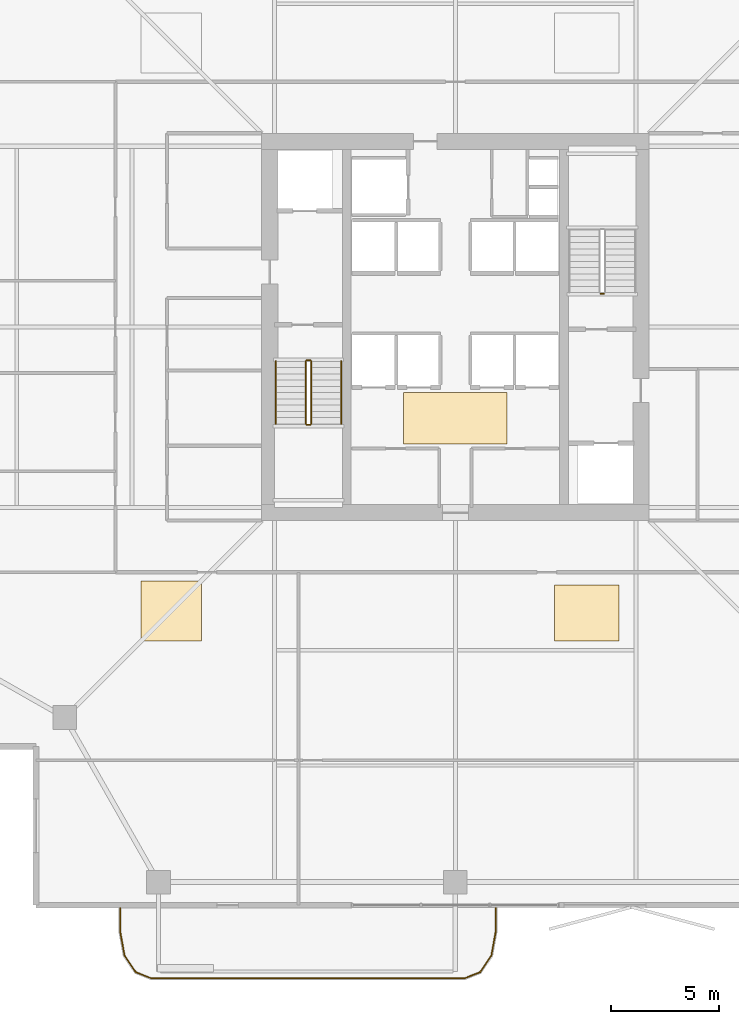
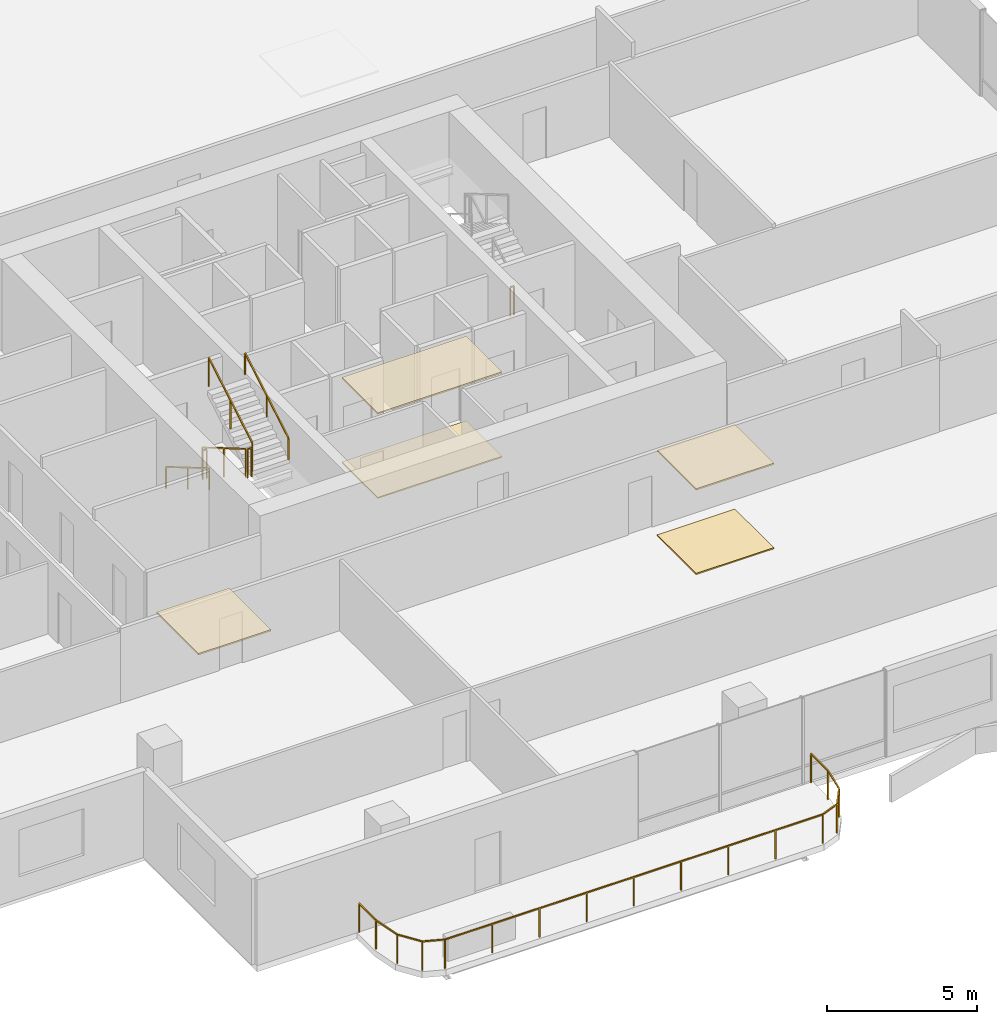
# One storey, part 21 of 23: 8 railings, 5 coverings.
"""IFC4 building model written with IfcOpenShell, lengths in metres."""

from ifc_helpers import new_model, si_unit, direction, frame, origin, origin_2d, place, context, subcontext, project, spatial, polyline, rectangle, outline, extrude, material, layer, layer_set, type_object, element, save


model = new_model("IFC4")

# Units and contexts
model_context = context("Model", 3, precision=1e-05, world=origin(), true_north=direction((0.0, 1.0)))
body_context = subcontext(model_context, "Body", "Model", "MODEL_VIEW")
ifc_project = project(units=[si_unit("LENGTHUNIT", "METRE"), si_unit("AREAUNIT", "SQUARE_METRE"), si_unit("VOLUMEUNIT", "CUBIC_METRE"), si_unit("PLANEANGLEUNIT", "RADIAN"), si_unit("MASSUNIT", "GRAM", prefix="KILO")], contexts=[model_context])

# Site, building, storey
site_placement = place(None, origin())
site = spatial("IfcSite", under=ifc_project, at=site_placement, CompositionType="ELEMENT")
building_placement = place(site_placement, origin())
building = spatial("IfcBuilding", under=site, at=building_placement, Name="Belovzor Exchange Tower", CompositionType="ELEMENT")
storey_placement = place(building_placement, frame((0.0, 0.0, 229.949951171875)))
storey = spatial("IfcBuildingStorey", under=building, at=storey_placement, Name="L57", CompositionType="ELEMENT", Elevation=229.949951171875)

# Railings
ifc_material_1 = material(Name="Stainless Steel Grade 304", Category="steel")
railing_type_1 = type_object("IfcRailingType", Name="Brushed Stainless Steel Stair Handrail 900", PredefinedType="HANDRAIL", material=ifc_material_1)
railing_1_placement = place(storey_placement, frame((20.449951171875, 27.199951171875, 0.17041015625)))
element("IfcRailing", 1, at=railing_1_placement, inside=storey, type_object=railing_type_1, Name="L57 ST-1 stair handrail 1", PredefinedType="HANDRAIL", context=body_context, shape_type="SweptSolid", body=[
    extrude(rectangle(XDim=0.048095703125, YDim=0.048095703125, at=origin_2d()), frame((0.0, 0.0, 0.8759765625), z_axis=(0.0, -0.86209462966, 0.506747323142), x_axis=(1.0, 0.0, 0.0)), (0.0, 0.0, 1.0), 3.36376953125),
    extrude(rectangle(XDim=0.0419921875, YDim=0.0419921875, at=origin_2d()), origin(), (0.0, 0.0, 1.0), 0.851806640625),
    extrude(rectangle(XDim=0.0419921875, YDim=0.0419921875, at=origin_2d()), frame((0.0, -1.449951171875, 0.852294921875)), (0.0, 0.0, 1.0), 0.851806640625),
    extrude(rectangle(XDim=0.0419921875, YDim=0.0419921875, at=origin_2d()), frame((0.0, -2.89990234375, 1.70458984375)), (0.0, 0.0, 1.0), 0.851806640625),
])
railing_2_placement = place(storey_placement, frame((23.5, 24.300048828125, 2.04541015625)))
element("IfcRailing", 2, at=railing_2_placement, inside=storey, type_object=railing_type_1, Name="L57 ST-1 stair handrail 2", PredefinedType="HANDRAIL", context=body_context, shape_type="SweptSolid", body=[
    extrude(rectangle(XDim=0.048095703125, YDim=0.048095703125, at=origin_2d()), frame((0.0, 0.0, 0.8759765625), z_axis=(0.0, 0.86209462966, 0.506747323142), x_axis=(-1.0, 0.0, 0.0)), (0.0, 0.0, 1.0), 3.36376953125),
    extrude(rectangle(XDim=0.0419921875, YDim=0.0419921875, at=origin_2d()), origin(), (0.0, 0.0, 1.0), 0.851806640625),
    extrude(rectangle(XDim=0.0419921875, YDim=0.0419921875, at=origin_2d()), frame((0.0, 1.449951171875, 0.852294921875)), (0.0, 0.0, 1.0), 0.851806640625),
    extrude(rectangle(XDim=0.0419921875, YDim=0.0419921875, at=origin_2d()), frame((0.0, 2.89990234375, 1.70458984375)), (0.0, 0.0, 1.0), 0.851806640625),
])
ifc_material_2 = material(Name="Stainless Steel and Laminated Safety Glass", Category="steel")
railing_type_2 = type_object("IfcRailingType", Name="Laminated Glass & Stainless Steel Balcony Balustrade 1200", PredefinedType="BALUSTRADE", material=ifc_material_2)
railing_3_placement = place(storey_placement, frame((13.22998046875, 1.7900390625, 0.0)))
element("IfcRailing", 3, at=railing_3_placement, inside=storey, type_object=railing_type_2, Name="GR-1 Balcony Balustrade L57 South", PredefinedType="BALUSTRADE", context=body_context, shape_type="SweptSolid", body=[
    extrude(rectangle(XDim=0.048095703125, YDim=0.048095703125, at=origin_2d()), frame((0.0, 0.0, 1.17578125), z_axis=(0.0, -1.0, 0.0), x_axis=(1.0, 0.0, 0.0)), (0.0, 0.0, 1.0), 1.133056640625),
    extrude(rectangle(XDim=0.048095703125, YDim=0.048095703125, at=origin_2d()), frame((0.0, -1.133056640625, 1.17578125), z_axis=(0.180122719713, -0.983644145941, 0.0), x_axis=(0.983644145941, 0.180122719713, 0.0)), (0.0, 0.0, 1.0), 1.09375),
    extrude(rectangle(XDim=0.048095703125, YDim=0.048095703125, at=origin_2d()), frame((0.197021484375, -2.208984375, 1.17578125), z_axis=(0.562768145367, -0.826614792125, 0.0), x_axis=(0.826614792125, 0.562768145367, 0.0)), (0.0, 0.0, 1.0), 0.9326171875),
    extrude(rectangle(XDim=0.048095703125, YDim=0.048095703125, at=origin_2d()), frame((0.721923828125, -2.97998046875, 1.17578125), z_axis=(0.930809580156, -0.365504480807, 0.0), x_axis=(0.365504480807, 0.930809580156, 0.0)), (0.0, 0.0, 1.0), 0.76611328125),
    extrude(rectangle(XDim=0.048095703125, YDim=0.048095703125, at=origin_2d()), frame((1.43505859375, -3.260009765625, 1.17578125), z_axis=(1.0, 0.0, 0.0), x_axis=(0.0, 1.0, 0.0)), (0.0, 0.0, 1.0), 14.570068359375),
    extrude(rectangle(XDim=0.048095703125, YDim=0.048095703125, at=origin_2d()), frame((16.005126953125, -3.260009765625, 1.17578125), z_axis=(0.930766990125, 0.365612923861, 0.0), x_axis=(-0.365612923861, 0.930766990125, 0.0)), (0.0, 0.0, 1.0), 0.765869140625),
    extrude(rectangle(XDim=0.048095703125, YDim=0.048095703125, at=origin_2d()), frame((16.718017578125, -2.97998046875, 1.17578125), z_axis=(0.562768145367, 0.826614792125, 0.0), x_axis=(-0.826614792125, 0.562768145367, 0.0)), (0.0, 0.0, 1.0), 0.9326171875),
    extrude(rectangle(XDim=0.048095703125, YDim=0.048095703125, at=origin_2d()), frame((17.242919921875, -2.208984375, 1.17578125), z_axis=(0.180122719713, 0.983644145941, 0.0), x_axis=(-0.983644145941, 0.180122719713, 0.0)), (0.0, 0.0, 1.0), 1.09375),
    extrude(rectangle(XDim=0.048095703125, YDim=0.048095703125, at=origin_2d()), frame((17.43994140625, -1.133056640625, 1.17578125), z_axis=(0.0, 1.0, 0.0), x_axis=(-1.0, 0.0, 0.0)), (0.0, 0.0, 1.0), 1.133056640625),
    extrude(rectangle(XDim=0.0419921875, YDim=0.0419921875, at=origin_2d()), origin(), (0.0, 0.0, 1.0), 1.15185546875),
    extrude(rectangle(XDim=0.0419921875, YDim=0.0419921875, at=origin_2d()), frame((0.0, -1.133056640625, 0.0)), (0.0, 0.0, 1.0), 1.15185546875),
    extrude(rectangle(XDim=0.0419921875, YDim=0.0419921875, at=origin_2d()), frame((0.197021484375, -2.208984375, 0.0)), (0.0, 0.0, 1.0), 1.15185546875),
    extrude(rectangle(XDim=0.0419921875, YDim=0.0419921875, at=origin_2d()), frame((0.721923828125, -2.97998046875, 0.0)), (0.0, 0.0, 1.0), 1.15185546875),
    extrude(rectangle(XDim=0.0419921875, YDim=0.0419921875, at=origin_2d()), frame((1.43505859375, -3.260009765625, 0.0)), (0.0, 0.0, 1.0), 1.15185546875),
    extrude(rectangle(XDim=0.0419921875, YDim=0.0419921875, at=origin_2d()), frame((3.25634765625, -3.260009765625, 0.0)), (0.0, 0.0, 1.0), 1.15185546875),
    extrude(rectangle(XDim=0.0419921875, YDim=0.0419921875, at=origin_2d()), frame((5.07763671875, -3.260009765625, 0.0)), (0.0, 0.0, 1.0), 1.15185546875),
    extrude(rectangle(XDim=0.0419921875, YDim=0.0419921875, at=origin_2d()), frame((6.89892578125, -3.260009765625, 0.0)), (0.0, 0.0, 1.0), 1.15185546875),
    extrude(rectangle(XDim=0.0419921875, YDim=0.0419921875, at=origin_2d()), frame((8.72021484375, -3.260009765625, 0.0)), (0.0, 0.0, 1.0), 1.15185546875),
    extrude(rectangle(XDim=0.0419921875, YDim=0.0419921875, at=origin_2d()), frame((10.541259765625, -3.260009765625, 0.0)), (0.0, 0.0, 1.0), 1.15185546875),
    extrude(rectangle(XDim=0.0419921875, YDim=0.0419921875, at=origin_2d()), frame((12.362548828125, -3.260009765625, 0.0)), (0.0, 0.0, 1.0), 1.15185546875),
    extrude(rectangle(XDim=0.0419921875, YDim=0.0419921875, at=origin_2d()), frame((14.183837890625, -3.260009765625, 0.0)), (0.0, 0.0, 1.0), 1.15185546875),
    extrude(rectangle(XDim=0.0419921875, YDim=0.0419921875, at=origin_2d()), frame((16.005126953125, -3.260009765625, 0.0)), (0.0, 0.0, 1.0), 1.15185546875),
    extrude(rectangle(XDim=0.0419921875, YDim=0.0419921875, at=origin_2d()), frame((16.718017578125, -2.97998046875, 0.0)), (0.0, 0.0, 1.0), 1.15185546875),
    extrude(rectangle(XDim=0.0419921875, YDim=0.0419921875, at=origin_2d()), frame((17.242919921875, -2.208984375, 0.0)), (0.0, 0.0, 1.0), 1.15185546875),
    extrude(rectangle(XDim=0.0419921875, YDim=0.0419921875, at=origin_2d()), frame((17.43994140625, -1.133056640625, 0.0)), (0.0, 0.0, 1.0), 1.15185546875),
    extrude(rectangle(XDim=0.0419921875, YDim=0.0419921875, at=origin_2d()), frame((17.43994140625, 0.0, 0.0)), (0.0, 0.0, 1.0), 1.15185546875),
])
ifc_material_3 = material(Name="Steel S355", Category="steel")
railing_type_3 = type_object("IfcRailingType", Name="Painted Steel Stairwell Guardrail 1200", PredefinedType="GUARDRAIL", material=ifc_material_3)
railing_4_placement = place(storey_placement, frame((21.85009765625, 27.199951171875, 0.17041015625)))
element("IfcRailing", 4, at=railing_4_placement, inside=storey, type_object=railing_type_3, Name="L57 ST-1 stair guard 1", PredefinedType="GUARDRAIL", context=body_context, shape_type="SweptSolid", body=[
    extrude(rectangle(XDim=0.048095703125, YDim=0.048095703125, at=origin_2d()), frame((0.0, 0.0, 1.17578125), z_axis=(0.0, -0.86209462966, 0.506747323142), x_axis=(1.0, 0.0, 0.0)), (0.0, 0.0, 1.0), 3.36376953125),
    extrude(rectangle(XDim=0.0419921875, YDim=0.0419921875, at=origin_2d()), origin(), (0.0, 0.0, 1.0), 1.15185546875),
    extrude(rectangle(XDim=0.0419921875, YDim=0.0419921875, at=origin_2d()), frame((0.0, -1.449951171875, 0.852294921875)), (0.0, 0.0, 1.0), 1.15185546875),
    extrude(rectangle(XDim=0.0419921875, YDim=0.0419921875, at=origin_2d()), frame((0.0, -2.89990234375, 1.70458984375)), (0.0, 0.0, 1.0), 1.15185546875),
])
railing_5_placement = place(storey_placement, frame((21.89990234375, 24.25, 1.875)))
element("IfcRailing", 5, at=railing_5_placement, inside=storey, type_object=railing_type_3, Name="L57 ST-1 stair guard 2", PredefinedType="GUARDRAIL", context=body_context, shape_type="SweptSolid", body=[
    extrude(rectangle(XDim=0.048095703125, YDim=0.048095703125, at=origin_2d()), frame((0.0, 0.0, 1.17578125), z_axis=(1.0, 0.0, 0.0), x_axis=(0.0, 1.0, 0.0)), (0.0, 0.0, 1.0), 0.150146484375),
    extrude(rectangle(XDim=0.0419921875, YDim=0.0419921875, at=origin_2d()), origin(), (0.0, 0.0, 1.0), 1.15185546875),
    extrude(rectangle(XDim=0.0419921875, YDim=0.0419921875, at=origin_2d()), frame((0.150146484375, 0.0, 0.0)), (0.0, 0.0, 1.0), 1.15185546875),
])
railing_6_placement = place(storey_placement, frame((22.10009765625, 24.300048828125, 2.04541015625)))
element("IfcRailing", 6, at=railing_6_placement, inside=storey, type_object=railing_type_3, Name="L57 ST-1 stair guard 3", PredefinedType="GUARDRAIL", context=body_context, shape_type="SweptSolid", body=[
    extrude(rectangle(XDim=0.048095703125, YDim=0.048095703125, at=origin_2d()), frame((0.0, 0.0, 1.17578125), z_axis=(0.0, 0.86209462966, 0.506747323142), x_axis=(-1.0, 0.0, 0.0)), (0.0, 0.0, 1.0), 3.36376953125),
    extrude(rectangle(XDim=0.0419921875, YDim=0.0419921875, at=origin_2d()), origin(), (0.0, 0.0, 1.0), 1.15185546875),
    extrude(rectangle(XDim=0.0419921875, YDim=0.0419921875, at=origin_2d()), frame((0.0, 1.449951171875, 0.852294921875)), (0.0, 0.0, 1.0), 1.15185546875),
    extrude(rectangle(XDim=0.0419921875, YDim=0.0419921875, at=origin_2d()), frame((0.0, 2.89990234375, 1.70458984375)), (0.0, 0.0, 1.0), 1.15185546875),
])
railing_7_placement = place(storey_placement, frame((21.89990234375, 27.25, 0.0)))
element("IfcRailing", 7, at=railing_7_placement, inside=storey, type_object=railing_type_3, Name="L57 ST-1 stair guard 4", PredefinedType="GUARDRAIL", context=body_context, shape_type="SweptSolid", body=[
    extrude(rectangle(XDim=0.048095703125, YDim=0.048095703125, at=origin_2d()), frame((0.0, 0.0, 1.17578125), z_axis=(1.0, 0.0, 0.0), x_axis=(0.0, 1.0, 0.0)), (0.0, 0.0, 1.0), 0.150146484375),
    extrude(rectangle(XDim=0.0419921875, YDim=0.0419921875, at=origin_2d()), origin(), (0.0, 0.0, 1.0), 1.15185546875),
    extrude(rectangle(XDim=0.0419921875, YDim=0.0419921875, at=origin_2d()), frame((0.150146484375, 0.0, 0.0)), (0.0, 0.0, 1.0), 1.15185546875),
])
railing_8_placement = place(storey_placement, frame((35.699951171875, 30.35009765625, 0.0)))
element("IfcRailing", 8, at=railing_8_placement, inside=storey, type_object=railing_type_3, Name="L57 ST-2 stair guard 4", PredefinedType="GUARDRAIL", context=body_context, shape_type="SweptSolid", body=[
    extrude(rectangle(XDim=0.048095703125, YDim=0.048095703125, at=origin_2d()), frame((0.0, 0.0, 1.17578125), z_axis=(-1.0, 0.0, 0.0), x_axis=(0.0, -1.0, 0.0)), (0.0, 0.0, 1.0), 0.14990234375),
    extrude(rectangle(XDim=0.0419921875, YDim=0.0419921875, at=origin_2d()), origin(), (0.0, 0.0, 1.0), 1.15185546875),
    extrude(rectangle(XDim=0.0419921875, YDim=0.0419921875, at=origin_2d()), frame((-0.14990234375, 0.0, 0.0)), (0.0, 0.0, 1.0), 1.15185546875),
])

# Coverings
ifc_material_4 = material(Name="Perforated Powder-Coated Aluminium", Category="aluminium")
ifc_layer_1 = layer(ifc_material_4, 0.06005859375)
ifc_layer_set_1 = layer_set([ifc_layer_1], Name="Perforated Powder-Coated Aluminium")
covering_type_1 = type_object("IfcCoveringType", Name="Perforated Acoustic Metal Tile Suspended Ceiling 60", PredefinedType="CEILING", material=ifc_layer_set_1)
covering_1_placement = place(storey_placement, frame((0.0, 0.0, 3.43994140625)))
element("IfcCovering", 9, at=covering_1_placement, inside=storey, type_object=covering_type_1, Name="CLG-AC60 Suspended Ceiling CLG-L57-LOB", PredefinedType="CEILING", context=body_context, shape_type="SweptSolid", body=[
    extrude(outline(polyline([(26.39990234375, 23.35009765625), (31.199951171875, 23.35009765625), (31.199951171875, 25.75), (26.39990234375, 25.75), (26.39990234375, 23.35009765625)])), origin(), (0.0, 0.0, 1.0), 0.06005859375),
])
covering_2_placement = place(storey_placement, frame((0.0, 0.0, 3.43994140625)))
element("IfcCovering", 10, at=covering_2_placement, inside=storey, type_object=covering_type_1, Name="CLG-AC60 Suspended Ceiling CLG-L57-Z0", PredefinedType="CEILING", context=body_context, shape_type="SweptSolid", body=[
    extrude(outline(polyline([(14.199951171875, 14.199951171875), (17.0, 14.199951171875), (17.0, 17.0), (14.199951171875, 17.0), (14.199951171875, 14.199951171875)])), origin(), (0.0, 0.0, 1.0), 0.06005859375),
])
covering_3_placement = place(storey_placement, frame((0.0, 0.0, 3.43994140625)))
element("IfcCovering", 11, at=covering_3_placement, inside=storey, type_object=covering_type_1, Name="CLG-AC60 Suspended Ceiling CLG-L57-Z1", PredefinedType="CEILING", context=body_context, shape_type="SweptSolid", body=[
    extrude(outline(polyline([(33.39990234375, 14.199951171875), (36.39990234375, 14.199951171875), (36.39990234375, 16.800048828125), (33.39990234375, 16.800048828125), (33.39990234375, 14.199951171875)])), origin(), (0.0, 0.0, 1.0), 0.06005859375),
])
ifc_material_5 = material(Name="Polished Natural Granite Tile", Category="masonry")
ifc_layer_2 = layer(ifc_material_5, 0.050048828125)
ifc_layer_set_2 = layer_set([ifc_layer_2], Name="Polished Natural Granite Tile")
covering_type_2 = type_object("IfcCoveringType", Name="Polished Karelian Granite & Raised Access Floor Finish 50", PredefinedType="FLOORING", material=ifc_layer_set_2)
covering_4_placement = place(storey_placement, origin())
element("IfcCovering", 12, at=covering_4_placement, inside=storey, type_object=covering_type_2, Name="FLR-GR50 Floor Finish FLR-L57-LOB", PredefinedType="FLOORING", context=body_context, shape_type="SweptSolid", body=[
    extrude(outline(polyline([(26.39990234375, 23.35009765625), (31.199951171875, 23.35009765625), (31.199951171875, 25.75), (26.39990234375, 25.75), (26.39990234375, 23.35009765625)])), origin(), (0.0, 0.0, 1.0), 0.050048828125),
])
covering_5_placement = place(storey_placement, origin())
element("IfcCovering", 13, at=covering_5_placement, inside=storey, type_object=covering_type_2, Name="FLR-GR50 Floor Finish FLR-L57-Z1", PredefinedType="FLOORING", context=body_context, shape_type="SweptSolid", body=[
    extrude(outline(polyline([(33.39990234375, 14.199951171875), (36.39990234375, 14.199951171875), (36.39990234375, 16.800048828125), (33.39990234375, 16.800048828125), (33.39990234375, 14.199951171875)])), origin(), (0.0, 0.0, 1.0), 0.050048828125),
])

save(model, "model.ifc")
